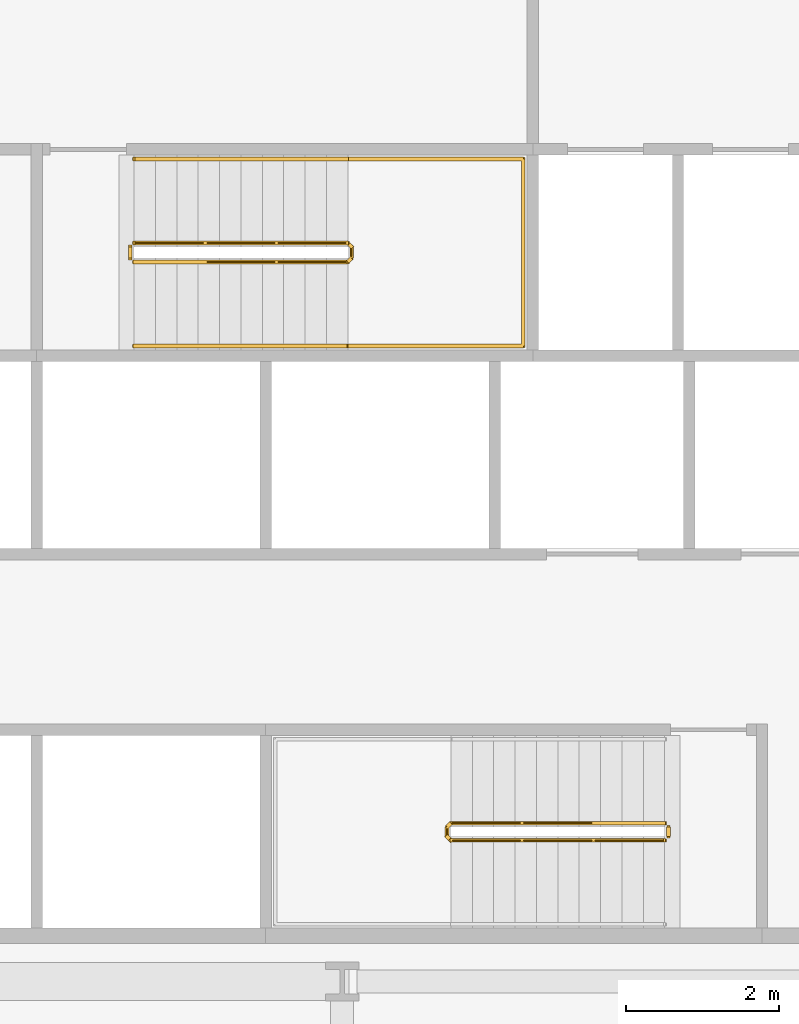
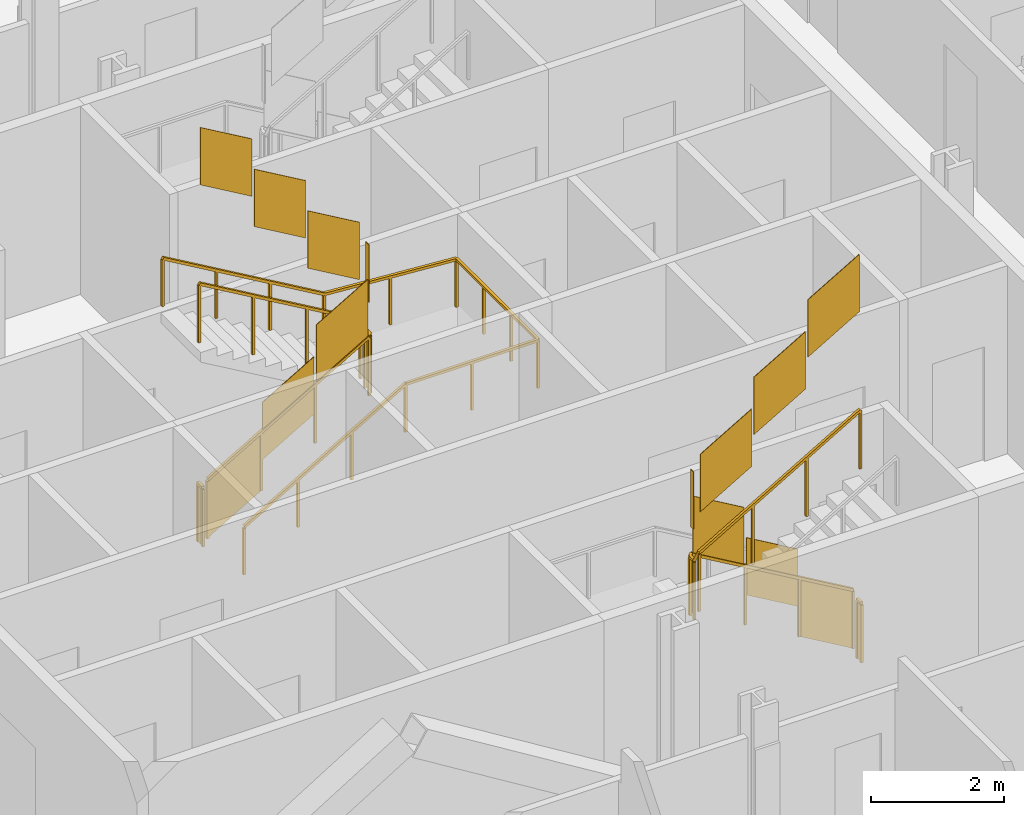
# One storey, part 17 of 20: 5 railings.
"""IFC4 building model written with IfcOpenShell, lengths in metres."""

from ifc_helpers import new_model, si_unit, direction, frame, origin, origin_2d, place, context, subcontext, project, spatial, polyline, rectangle, outline, extrude, material, type_object, element, save


model = new_model("IFC4")

# Units and contexts
model_context = context("Model", 3, precision=1e-05, world=origin(), true_north=direction((0.0, 1.0)))
body_context = subcontext(model_context, "Body", "Model", "MODEL_VIEW")
ifc_project = project(units=[si_unit("LENGTHUNIT", "METRE"), si_unit("AREAUNIT", "SQUARE_METRE"), si_unit("VOLUMEUNIT", "CUBIC_METRE"), si_unit("PLANEANGLEUNIT", "RADIAN"), si_unit("MASSUNIT", "GRAM", prefix="KILO")], contexts=[model_context])

# Site, building, storey
site_placement = place(None, origin())
site = spatial("IfcSite", under=ifc_project, at=site_placement, CompositionType="ELEMENT")
building_placement = place(site_placement, origin())
building = spatial("IfcBuilding", under=site, at=building_placement, Name="Cairn Pilgrim Tower", CompositionType="ELEMENT")
storey_placement = place(building_placement, frame((0.0, 0.0, 83.39990234375)))
storey = spatial("IfcBuildingStorey", under=building, at=storey_placement, Name="L19", CompositionType="ELEMENT", Elevation=83.39990234375)

# Railings
ifc_material = material(Name="Painted steel", Category="steel")
railing_type_1 = type_object("IfcRailingType", Name="STAIR GUARD 1100", PredefinedType="GUARDRAIL", material=ifc_material)
railing_1_placement = place(storey_placement, frame((11.425048828125, -3.925048828125, 0.163818359375)))
element("IfcRailing", 1, at=railing_1_placement, inside=storey, type_object=railing_type_1, Name="L19 ST-A stair guard 1", PredefinedType="GUARDRAIL", context=body_context, shape_type="SweptSolid", body=[
    extrude(rectangle(XDim=0.048095703125, YDim=0.048095703125, at=origin_2d()), frame((0.0, 0.0, 1.076171875), z_axis=(-0.863393664356, 0.0, 0.504530851732), x_axis=(0.0, -1.0, 0.0)), (0.0, 0.0, 1.0), 3.2431640625),
    extrude(rectangle(XDim=0.048095703125, YDim=0.048095703125, at=origin_2d()), frame((-2.800048828125, 0.0, 2.71240234375), z_axis=(-0.707106781187, -0.707106781187, 0.0), x_axis=(0.707106781187, -0.707106781187, 0.0)), (0.0, 0.0, 1.0), 0.07080078125),
    extrude(rectangle(XDim=0.048095703125, YDim=0.048095703125, at=origin_2d()), frame((-2.85009765625, -0.050048828125, 2.71240234375), z_axis=(0.0, -1.0, 0.0), x_axis=(1.0, 0.0, 0.0)), (0.0, 0.0, 1.0), 0.125),
    extrude(rectangle(XDim=0.048095703125, YDim=0.048095703125, at=origin_2d()), frame((-2.85009765625, -0.175048828125, 2.71240234375), z_axis=(0.280916556609, -0.279546231943, 0.91811752648), x_axis=(0.705375805398, 0.708833529934, 0.0)), (0.0, 0.0, 1.0), 0.17822265625),
    extrude(rectangle(XDim=0.048095703125, YDim=0.048095703125, at=origin_2d()), frame((-2.800048828125, -0.224853515625, 2.8759765625), z_axis=(0.863360870873, 0.0, 0.504586966384), x_axis=(0.0, 1.0, 0.0)), (0.0, 0.0, 1.0), 3.2431640625),
    extrude(rectangle(XDim=0.0419921875, YDim=0.0419921875, at=origin_2d()), origin(), (0.0, 0.0, 1.0), 1.052001953125),
    extrude(rectangle(XDim=0.0419921875, YDim=0.0419921875, at=origin_2d()), frame((-0.933349609375, 0.0, 0.54541015625)), (0.0, 0.0, 1.0), 1.052001953125),
    extrude(rectangle(XDim=0.0419921875, YDim=0.0419921875, at=origin_2d()), frame((-1.86669921875, 0.0, 1.0908203125)), (0.0, 0.0, 1.0), 1.052001953125),
    extrude(rectangle(XDim=0.0419921875, YDim=0.0419921875, at=origin_2d()), frame((-2.800048828125, 0.0, 1.63623046875)), (0.0, 0.0, 1.0), 1.052001953125),
    extrude(rectangle(XDim=0.0419921875, YDim=0.0419921875, at=origin_2d()), frame((-2.85009765625, -0.050048828125, 1.63623046875)), (0.0, 0.0, 1.0), 1.052001953125),
    extrude(rectangle(XDim=0.0419921875, YDim=0.0419921875, at=origin_2d()), frame((-2.85009765625, -0.175048828125, 1.63623046875)), (0.0, 0.0, 1.0), 1.052001953125),
    extrude(rectangle(XDim=0.0419921875, YDim=0.0419921875, at=origin_2d()), frame((-2.800048828125, -0.224853515625, 1.7998046875)), (0.0, 0.0, 1.0), 1.052001953125),
    extrude(rectangle(XDim=0.0419921875, YDim=0.0419921875, at=origin_2d()), frame((-1.86669921875, -0.224853515625, 2.34521484375)), (0.0, 0.0, 1.0), 1.052001953125),
    extrude(rectangle(XDim=0.0419921875, YDim=0.0419921875, at=origin_2d()), frame((-0.933349609375, -0.224853515625, 2.890869140625)), (0.0, 0.0, 1.0), 1.052001953125),
    extrude(rectangle(XDim=0.0419921875, YDim=0.0419921875, at=origin_2d()), frame((0.0, -0.224853515625, 3.436279296875)), (0.0, 0.0, 1.0), 1.052001953125),
    extrude(outline(polyline([(0.02099609375, 0.01220703125), (0.912353515625, 0.533203125), (0.912353515625, 1.585205078125), (0.02099609375, 1.064208984375), (0.02099609375, 0.01220703125)])), frame((0.0, -0.005859375, 0.0), z_axis=(0.0, 1.0, 0.0), x_axis=(-1.0, 0.0, 0.0)), (0.0, 0.0, 1.0), 0.011962890625),
    extrude(outline(polyline([(0.02099609375, 0.5576171875), (0.912353515625, 1.07861328125), (0.912353515625, 2.130615234375), (0.02099609375, 1.609619140625), (0.02099609375, 0.5576171875)])), frame((-0.933349609375, -0.005859375, 0.54541015625), z_axis=(0.0, 1.0, 0.0), x_axis=(-1.0, 0.0, 0.0)), (0.0, 0.0, 1.0), 0.011962890625),
    extrude(outline(polyline([(0.02099609375, 1.10302734375), (0.912353515625, 1.6240234375), (0.912353515625, 2.676025390625), (0.02099609375, 2.155029296875), (0.02099609375, 1.10302734375)])), frame((-1.86669921875, -0.005859375, 1.0908203125), z_axis=(0.0, 1.0, 0.0), x_axis=(-1.0, 0.0, 0.0)), (0.0, 0.0, 1.0), 0.011962890625),
    extrude(outline(polyline([(0.02099609375, 1.63623046875), (0.10400390625, 1.63623046875), (0.10400390625, 2.688232421875), (0.02099609375, 2.688232421875), (0.02099609375, 1.63623046875)])), frame((-2.84423828125, -0.050048828125, 1.63623046875), z_axis=(-1.0, 0.0, 0.0), x_axis=(0.0, -1.0, 0.0)), (0.0, 0.0, 1.0), 0.011962890625),
    extrude(outline(polyline([(0.02099609375, 1.81201171875), (0.912353515625, 2.3330078125), (0.912353515625, 3.385009765625), (0.02099609375, 2.864013671875), (0.02099609375, 1.81201171875)])), frame((-2.800048828125, -0.21875, 1.7998046875), z_axis=(0.0, -1.0, 0.0), x_axis=(1.0, 0.0, 0.0)), (0.0, 0.0, 1.0), 0.011962890625),
    extrude(outline(polyline([(0.02099609375, 2.357666015625), (0.912353515625, 2.87841796875), (0.912353515625, 3.930419921875), (0.02099609375, 3.40966796875), (0.02099609375, 2.357666015625)])), frame((-1.86669921875, -0.21875, 2.34521484375), z_axis=(0.0, -1.0, 0.0), x_axis=(1.0, 0.0, 0.0)), (0.0, 0.0, 1.0), 0.011962890625),
    extrude(outline(polyline([(0.02099609375, 2.903076171875), (0.912353515625, 3.424072265625), (0.912353515625, 4.47607421875), (0.02099609375, 3.955078125), (0.02099609375, 2.903076171875)])), frame((-0.933349609375, -0.21875, 2.890869140625), z_axis=(0.0, -1.0, 0.0), x_axis=(1.0, 0.0, 0.0)), (0.0, 0.0, 1.0), 0.011962890625),
])
railing_2_placement = place(storey_placement, frame((11.47509765625, -3.97509765625, 0.0)))
element("IfcRailing", 2, at=railing_2_placement, inside=storey, type_object=railing_type_1, Name="L19 ST-A stair guard 2", PredefinedType="GUARDRAIL", context=body_context, shape_type="SweptSolid", body=[
    extrude(rectangle(XDim=0.048095703125, YDim=0.048095703125, at=origin_2d()), frame((0.0, 0.0, 1.076171875), z_axis=(0.0, -1.0, 0.0), x_axis=(1.0, 0.0, 0.0)), (0.0, 0.0, 1.0), 0.125),
    extrude(rectangle(XDim=0.0419921875, YDim=0.0419921875, at=origin_2d()), origin(), (0.0, 0.0, 1.0), 1.052001953125),
    extrude(rectangle(XDim=0.0419921875, YDim=0.0419921875, at=origin_2d()), frame((0.0, -0.125, 0.0)), (0.0, 0.0, 1.0), 1.052001953125),
    extrude(outline(polyline([(0.02099609375, 0.0), (0.10400390625, 0.0), (0.10400390625, 1.052001953125), (0.02099609375, 1.052001953125), (0.02099609375, 0.0)])), frame((0.005859375, 0.0, 0.0), z_axis=(-1.0, 0.0, 0.0), x_axis=(0.0, -1.0, 0.0)), (0.0, 0.0, 1.0), 0.011962890625),
])
railing_3_placement = place(storey_placement, frame((4.47509765625, 3.425048828125, 0.163818359375)))
element("IfcRailing", 3, at=railing_3_placement, inside=storey, type_object=railing_type_1, Name="L19 ST-B stair guard 1", PredefinedType="GUARDRAIL", context=body_context, shape_type="SweptSolid", body=[
    extrude(rectangle(XDim=0.048095703125, YDim=0.048095703125, at=origin_2d()), frame((0.0, 0.0, 1.076171875), z_axis=(0.863374499697, 0.0, 0.504563646405), x_axis=(0.0, 1.0, 0.0)), (0.0, 0.0, 1.0), 3.242919921875),
    extrude(rectangle(XDim=0.048095703125, YDim=0.048095703125, at=origin_2d()), frame((2.7998046875, 0.0, 2.71240234375), z_axis=(0.707106781187, 0.707106781187, 0.0), x_axis=(-0.707106781187, 0.707106781187, 0.0)), (0.0, 0.0, 1.0), 0.07080078125),
    extrude(rectangle(XDim=0.048095703125, YDim=0.048095703125, at=origin_2d()), frame((2.849853515625, 0.050048828125, 2.71240234375), z_axis=(0.0, 1.0, 0.0), x_axis=(-1.0, 0.0, 0.0)), (0.0, 0.0, 1.0), 0.14990234375),
    extrude(rectangle(XDim=0.048095703125, YDim=0.048095703125, at=origin_2d()), frame((2.849853515625, 0.199951171875, 2.71240234375), z_axis=(-0.280808744504, 0.280808744504, 0.917765164963), x_axis=(-0.707106781187, -0.707106781187, 0.0)), (0.0, 0.0, 1.0), 0.17822265625),
    extrude(rectangle(XDim=0.048095703125, YDim=0.048095703125, at=origin_2d()), frame((2.7998046875, 0.25, 2.8759765625), z_axis=(-0.863341702679, 0.0, 0.504619762213), x_axis=(0.0, -1.0, 0.0)), (0.0, 0.0, 1.0), 3.242919921875),
    extrude(rectangle(XDim=0.0419921875, YDim=0.0419921875, at=origin_2d()), origin(), (0.0, 0.0, 1.0), 1.052001953125),
    extrude(rectangle(XDim=0.0419921875, YDim=0.0419921875, at=origin_2d()), frame((0.933349609375, 0.0, 0.54541015625)), (0.0, 0.0, 1.0), 1.052001953125),
    extrude(rectangle(XDim=0.0419921875, YDim=0.0419921875, at=origin_2d()), frame((1.866455078125, 0.0, 1.0908203125)), (0.0, 0.0, 1.0), 1.052001953125),
    extrude(rectangle(XDim=0.0419921875, YDim=0.0419921875, at=origin_2d()), frame((2.7998046875, 0.0, 1.63623046875)), (0.0, 0.0, 1.0), 1.052001953125),
    extrude(rectangle(XDim=0.0419921875, YDim=0.0419921875, at=origin_2d()), frame((2.849853515625, 0.050048828125, 1.63623046875)), (0.0, 0.0, 1.0), 1.052001953125),
    extrude(rectangle(XDim=0.0419921875, YDim=0.0419921875, at=origin_2d()), frame((2.849853515625, 0.199951171875, 1.63623046875)), (0.0, 0.0, 1.0), 1.052001953125),
    extrude(rectangle(XDim=0.0419921875, YDim=0.0419921875, at=origin_2d()), frame((2.7998046875, 0.25, 1.7998046875)), (0.0, 0.0, 1.0), 1.052001953125),
    extrude(rectangle(XDim=0.0419921875, YDim=0.0419921875, at=origin_2d()), frame((1.866455078125, 0.25, 2.34521484375)), (0.0, 0.0, 1.0), 1.052001953125),
    extrude(rectangle(XDim=0.0419921875, YDim=0.0419921875, at=origin_2d()), frame((0.933349609375, 0.25, 2.890869140625)), (0.0, 0.0, 1.0), 1.052001953125),
    extrude(rectangle(XDim=0.0419921875, YDim=0.0419921875, at=origin_2d()), frame((0.0, 0.25, 3.436279296875)), (0.0, 0.0, 1.0), 1.052001953125),
    extrude(outline(polyline([(0.02099609375, 0.01220703125), (0.912353515625, 0.533203125), (0.912353515625, 1.585205078125), (0.02099609375, 1.064208984375), (0.02099609375, 0.01220703125)])), frame((0.0, 0.005859375, 0.0), z_axis=(0.0, -1.0, 0.0), x_axis=(1.0, 0.0, 0.0)), (0.0, 0.0, 1.0), 0.011962890625),
    extrude(outline(polyline([(0.02099609375, 0.5576171875), (0.912353515625, 1.07861328125), (0.912353515625, 2.130615234375), (0.02099609375, 1.609619140625), (0.02099609375, 0.5576171875)])), frame((0.933349609375, 0.005859375, 0.54541015625), z_axis=(0.0, -1.0, 0.0), x_axis=(1.0, 0.0, 0.0)), (0.0, 0.0, 1.0), 0.011962890625),
    extrude(outline(polyline([(0.02099609375, 1.10302734375), (0.912353515625, 1.6240234375), (0.912353515625, 2.676025390625), (0.02099609375, 2.155029296875), (0.02099609375, 1.10302734375)])), frame((1.866455078125, 0.005859375, 1.0908203125), z_axis=(0.0, -1.0, 0.0), x_axis=(1.0, 0.0, 0.0)), (0.0, 0.0, 1.0), 0.011962890625),
    extrude(outline(polyline([(0.02099609375, 1.63623046875), (0.12890625, 1.63623046875), (0.12890625, 2.688232421875), (0.02099609375, 2.688232421875), (0.02099609375, 1.63623046875)])), frame((2.84375, 0.050048828125, 1.63623046875), z_axis=(1.0, 0.0, 0.0), x_axis=(0.0, 1.0, 0.0)), (0.0, 0.0, 1.0), 0.011962890625),
    extrude(outline(polyline([(0.02099609375, 1.81201171875), (0.912353515625, 2.3330078125), (0.912353515625, 3.385009765625), (0.02099609375, 2.864013671875), (0.02099609375, 1.81201171875)])), frame((2.7998046875, 0.244140625, 1.7998046875), z_axis=(0.0, 1.0, 0.0), x_axis=(-1.0, 0.0, 0.0)), (0.0, 0.0, 1.0), 0.011962890625),
    extrude(outline(polyline([(0.02099609375, 2.357666015625), (0.912353515625, 2.87841796875), (0.912353515625, 3.930419921875), (0.02099609375, 3.40966796875), (0.02099609375, 2.357666015625)])), frame((1.866455078125, 0.244140625, 2.34521484375), z_axis=(0.0, 1.0, 0.0), x_axis=(-1.0, 0.0, 0.0)), (0.0, 0.0, 1.0), 0.011962890625),
    extrude(outline(polyline([(0.02099609375, 2.903076171875), (0.912353515625, 3.424072265625), (0.912353515625, 4.47607421875), (0.02099609375, 3.955078125), (0.02099609375, 2.903076171875)])), frame((0.933349609375, 0.244140625, 2.890869140625), z_axis=(0.0, 1.0, 0.0), x_axis=(-1.0, 0.0, 0.0)), (0.0, 0.0, 1.0), 0.011962890625),
])
railing_4_placement = place(storey_placement, frame((4.425048828125, 3.47509765625, 0.0)))
element("IfcRailing", 4, at=railing_4_placement, inside=storey, type_object=railing_type_1, Name="L19 ST-B stair guard 2", PredefinedType="GUARDRAIL", context=body_context, shape_type="SweptSolid", body=[
    extrude(rectangle(XDim=0.048095703125, YDim=0.048095703125, at=origin_2d()), frame((0.0, 0.0, 1.076171875), z_axis=(0.0, 1.0, 0.0), x_axis=(-1.0, 0.0, 0.0)), (0.0, 0.0, 1.0), 0.14990234375),
    extrude(rectangle(XDim=0.0419921875, YDim=0.0419921875, at=origin_2d()), origin(), (0.0, 0.0, 1.0), 1.052001953125),
    extrude(rectangle(XDim=0.0419921875, YDim=0.0419921875, at=origin_2d()), frame((0.0, 0.14990234375, 0.0)), (0.0, 0.0, 1.0), 1.052001953125),
    extrude(outline(polyline([(0.02099609375, 0.0), (0.12890625, 0.0), (0.12890625, 1.052001953125), (0.02099609375, 1.052001953125), (0.02099609375, 0.0)])), frame((-0.005859375, 0.0, 0.0), z_axis=(1.0, 0.0, 0.0), x_axis=(0.0, 1.0, 0.0)), (0.0, 0.0, 1.0), 0.011962890625),
])
railing_type_2 = type_object("IfcRailingType", Name="STAIR HANDRAIL 900", PredefinedType="HANDRAIL", material=ifc_material)
railing_5_placement = place(storey_placement, frame((4.47509765625, 2.324951171875, 0.163818359375)))
element("IfcRailing", 5, at=railing_5_placement, inside=storey, type_object=railing_type_2, Name="L19 ST-B stair handrail 1", PredefinedType="HANDRAIL", context=body_context, shape_type="SweptSolid", body=[
    extrude(rectangle(XDim=0.048095703125, YDim=0.048095703125, at=origin_2d()), frame((0.0, 0.0, 0.8759765625), z_axis=(0.863374499697, 0.0, 0.504563646405), x_axis=(0.0, 1.0, 0.0)), (0.0, 0.0, 1.0), 3.242919921875),
    extrude(rectangle(XDim=0.048095703125, YDim=0.048095703125, at=origin_2d()), frame((2.7998046875, 0.0, 2.51220703125), z_axis=(1.0, 0.0, 0.0), x_axis=(0.0, 1.0, 0.0)), (0.0, 0.0, 1.0), 2.300048828125),
    extrude(rectangle(XDim=0.048095703125, YDim=0.048095703125, at=origin_2d()), frame((5.099853515625, 0.0, 2.51220703125), z_axis=(0.0, 1.0, 0.0), x_axis=(-1.0, 0.0, 0.0)), (0.0, 0.0, 1.0), 2.449951171875),
    extrude(rectangle(XDim=0.048095703125, YDim=0.048095703125, at=origin_2d()), frame((5.099853515625, 2.449951171875, 2.51220703125), z_axis=(-0.997480687736, 0.0, 0.070938548008), x_axis=(0.0, -1.0, 0.0)), (0.0, 0.0, 1.0), 2.305908203125),
    extrude(rectangle(XDim=0.048095703125, YDim=0.048095703125, at=origin_2d()), frame((2.7998046875, 2.449951171875, 2.67578125), z_axis=(-0.863341702679, 0.0, 0.504619762213), x_axis=(0.0, -1.0, 0.0)), (0.0, 0.0, 1.0), 3.242919921875),
    extrude(rectangle(XDim=0.0419921875, YDim=0.0419921875, at=origin_2d()), origin(), (0.0, 0.0, 1.0), 0.851806640625),
    extrude(rectangle(XDim=0.0419921875, YDim=0.0419921875, at=origin_2d()), frame((0.933349609375, 0.0, 0.54541015625)), (0.0, 0.0, 1.0), 0.851806640625),
    extrude(rectangle(XDim=0.0419921875, YDim=0.0419921875, at=origin_2d()), frame((1.866455078125, 0.0, 1.0908203125)), (0.0, 0.0, 1.0), 0.851806640625),
    extrude(rectangle(XDim=0.0419921875, YDim=0.0419921875, at=origin_2d()), frame((2.7998046875, 0.0, 1.63623046875)), (0.0, 0.0, 1.0), 0.851806640625),
    extrude(rectangle(XDim=0.0419921875, YDim=0.0419921875, at=origin_2d()), frame((3.94970703125, 0.0, 1.63623046875)), (0.0, 0.0, 1.0), 0.851806640625),
    extrude(rectangle(XDim=0.0419921875, YDim=0.0419921875, at=origin_2d()), frame((5.099853515625, 0.0, 1.63623046875)), (0.0, 0.0, 1.0), 0.851806640625),
    extrude(rectangle(XDim=0.0419921875, YDim=0.0419921875, at=origin_2d()), frame((5.099853515625, 0.816650390625, 1.63623046875)), (0.0, 0.0, 1.0), 0.851806640625),
    extrude(rectangle(XDim=0.0419921875, YDim=0.0419921875, at=origin_2d()), frame((5.099853515625, 1.63330078125, 1.63623046875)), (0.0, 0.0, 1.0), 0.851806640625),
    extrude(rectangle(XDim=0.0419921875, YDim=0.0419921875, at=origin_2d()), frame((5.099853515625, 2.449951171875, 1.63623046875)), (0.0, 0.0, 1.0), 0.851806640625),
    extrude(rectangle(XDim=0.0419921875, YDim=0.0419921875, at=origin_2d()), frame((3.94970703125, 2.449951171875, 1.718017578125)), (0.0, 0.0, 1.0), 0.851806640625),
    extrude(rectangle(XDim=0.0419921875, YDim=0.0419921875, at=origin_2d()), frame((2.7998046875, 2.449951171875, 1.7998046875)), (0.0, 0.0, 1.0), 0.851806640625),
    extrude(rectangle(XDim=0.0419921875, YDim=0.0419921875, at=origin_2d()), frame((1.866455078125, 2.449951171875, 2.34521484375)), (0.0, 0.0, 1.0), 0.851806640625),
    extrude(rectangle(XDim=0.0419921875, YDim=0.0419921875, at=origin_2d()), frame((0.933349609375, 2.449951171875, 2.890869140625)), (0.0, 0.0, 1.0), 0.851806640625),
    extrude(rectangle(XDim=0.0419921875, YDim=0.0419921875, at=origin_2d()), frame((0.0, 2.449951171875, 3.436279296875)), (0.0, 0.0, 1.0), 0.851806640625),
])

save(model, "model.ifc")
